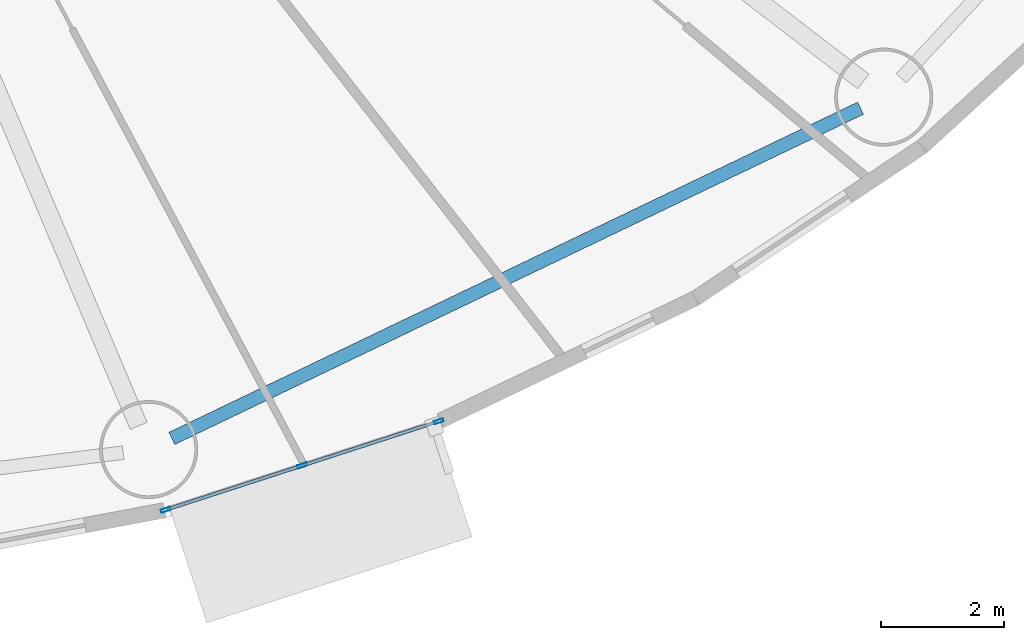
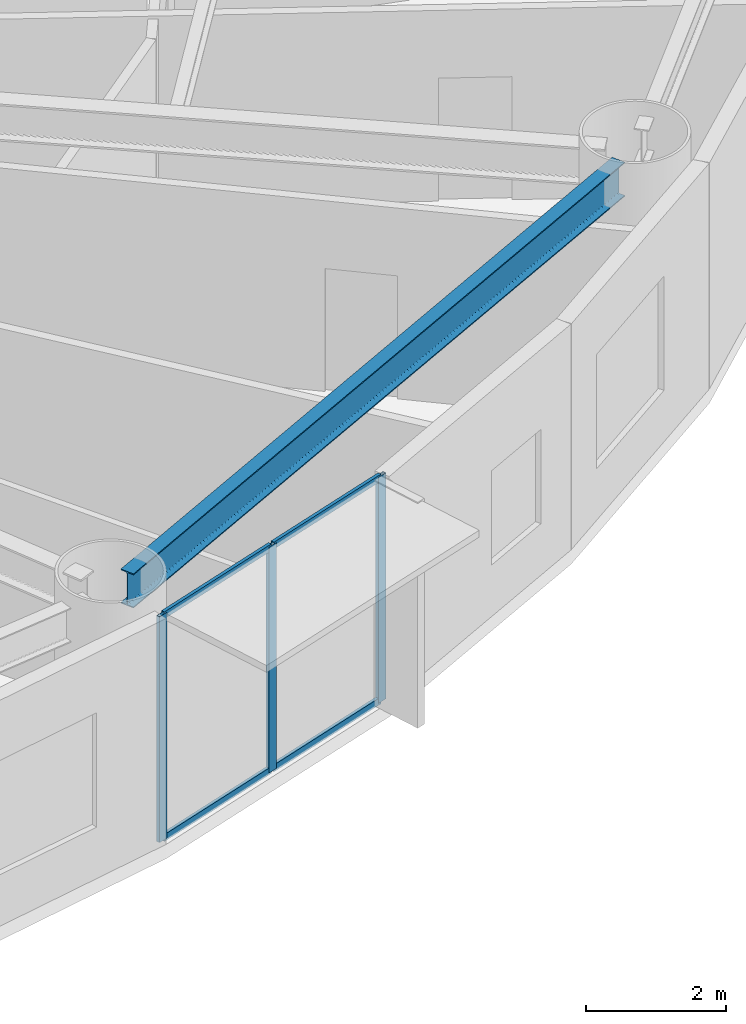
# One storey, part 7 of 28: 7 members, 1 beam, 1 element without a shape of its own.
"""IFC4 building model written with IfcOpenShell, lengths in metres."""

from ifc_helpers import new_model, si_unit, direction, frame, origin, origin_2d, place, context, subcontext, project, spatial, hollow_rectangle, i_section, extrude, source, transform, mapped, material, layer, layer_set, material_profile, profile_set, type_object, element, aggregate, save


model = new_model("IFC4")

# Units and contexts
model_context = context("Model", 3, precision=1e-05, world=origin(), true_north=direction((0.0, 1.0)))
body_context = subcontext(model_context, "Body", "Model", "MODEL_VIEW")
ifc_project = project(units=[si_unit("LENGTHUNIT", "METRE"), si_unit("AREAUNIT", "SQUARE_METRE"), si_unit("VOLUMEUNIT", "CUBIC_METRE"), si_unit("PLANEANGLEUNIT", "RADIAN"), si_unit("MASSUNIT", "GRAM", prefix="KILO")], contexts=[model_context])

# Site, building, storey
site_placement = place(None, origin())
site = spatial("IfcSite", under=ifc_project, at=site_placement, CompositionType="ELEMENT")
building_placement = place(site_placement, origin())
building = spatial("IfcBuilding", under=site, at=building_placement, Name="Linh Dai School and Residence Tower", CompositionType="ELEMENT")
storey_placement = place(building_placement, frame((0.0, 0.0, 57.60009765625)))
storey = spatial("IfcBuildingStorey", under=building, at=storey_placement, Name="L13", CompositionType="ELEMENT", Elevation=57.60009765625)

# Beam
ifc_material_1 = material(Name="Structural Steel S355JR", Category="steel")
ifc_material_profile_1 = material_profile(ifc_material_1, i_section(OverallWidth=0.219970703125, OverallDepth=0.60009765625, WebThickness=0.011962890625, FlangeThickness=0.01904296875, FilletRadius=0.02392578125, at=origin_2d()), Name="IPE 600")
ifc_profile_set_1 = profile_set([ifc_material_profile_1], Name="Structural Steel S355JR")
beam_type = type_object("IfcBeamType", Name="BM-RB60", PredefinedType="BEAM", material=ifc_profile_set_1)
beam_placement = place(storey_placement, frame((45.736572265625, 5.061767578125, 3.64990234375), z_axis=(0.901728693485, 0.432302398034, 0.0), x_axis=(-0.432302398034, 0.901728693485, 0.0)))
element("IfcBeam", 1, at=beam_placement, inside=storey, type_object=beam_type, Name="L13 Perimeter Elliptical Ring Beam 14", PredefinedType="BEAM", context=body_context, shape_type="SweptSolid", body=[
    extrude(i_section(OverallWidth=0.219970703125, OverallDepth=0.60009765625, WebThickness=0.011962890625, FlangeThickness=0.01904296875, FilletRadius=0.02392578125, at=origin_2d()), origin(), (0.0, 0.0, 1.0), 12.462158203125),
])

# Curtain wall, members
ifc_material_2 = material(Name="Aluminium Anodised Curtain Wall", Category="aluminium")
ifc_layer = layer(ifc_material_2, 0.159912109375)
ifc_layer_set = layer_set([ifc_layer], Name="Aluminium Anodised Curtain Wall")
curtain_wall_type = type_object("IfcCurtainWallType", Name="CW-SYS-3", PredefinedType="USERDEFINED", material=ifc_layer_set)
curtain_wall_placement = place(storey_placement, origin())
curtain_wall = element("IfcCurtainWall", 2, at=curtain_wall_placement, inside=storey, type_object=curtain_wall_type, Name="L13 CW3 Curtain Wall 33", ObjectType="RIBBON CURTAIN WALL", PredefinedType="USERDEFINED")
ifc_material_3 = material(Name="Aluminium Alloy 6063-T6", Category="aluminium")
ifc_material_profile_2 = material_profile(ifc_material_3, hollow_rectangle(XDim=0.054931640625, YDim=0.1201171875, WallThickness=0.00390625, at=origin_2d()), Name="RHS 120x55x4")
ifc_profile_set_2 = profile_set([ifc_material_profile_2], Name="Aluminium Alloy 6063-T6")
member_type_1 = type_object("IfcMemberType", Name="CW-SYS-3-TRN", PredefinedType="USERDEFINED", material=ifc_profile_set_2)
shared_shape_1 = source(origin(), body_context, "Body", "SweptSolid", [
    extrude(hollow_rectangle(XDim=0.054931640625, YDim=0.1201171875, WallThickness=0.00390625, at=origin_2d()), origin(), (0.0, 0.0, 1.0), 2.286865234375),
])
member_1_placement = place(storey_placement, frame((50.06591796875, 5.331787109375, 0.02734375), z_axis=(-0.951214351328, -0.308530805313, 0.0), x_axis=(0.308530805313, -0.951214351328, 0.0)))
member_1 = element("IfcMember", 3, at=member_1_placement, type_object=member_type_1, Name="CW3 transom 1.1", ObjectType="TRANSOM", PredefinedType="USERDEFINED", context=body_context, shape_type="MappedRepresentation", body=[
    mapped(shared_shape_1, transform((0.0, 0.0, 0.0), x_axis=(1.0, 0.0, 0.0), y_axis=(0.0, 1.0, 0.0), z_axis=(0.0, 0.0, 1.0), scale=1.0)),
])
member_2_placement = place(storey_placement, frame((50.06591796875, 5.331787109375, 3.92236328125), z_axis=(-0.951214351328, -0.308530805313, 0.0), x_axis=(0.308530805313, -0.951214351328, 0.0)))
member_2 = element("IfcMember", 4, at=member_2_placement, type_object=member_type_1, Name="CW3 transom 1.2", ObjectType="TRANSOM", PredefinedType="USERDEFINED", context=body_context, shape_type="MappedRepresentation", body=[
    mapped(shared_shape_1, transform((0.0, 0.0, 0.0), x_axis=(1.0, 0.0, 0.0), y_axis=(0.0, 1.0, 0.0), z_axis=(0.0, 0.0, 1.0), scale=1.0)),
])
member_3_placement = place(storey_placement, frame((47.838134765625, 4.609375, 0.02734375), z_axis=(-0.951214351328, -0.308530805313, 0.0), x_axis=(0.308530805313, -0.951214351328, 0.0)))
member_3 = element("IfcMember", 5, at=member_3_placement, type_object=member_type_1, Name="CW3 transom 2.1", ObjectType="TRANSOM", PredefinedType="USERDEFINED", context=body_context, shape_type="MappedRepresentation", body=[
    mapped(shared_shape_1, transform((0.0, 0.0, 0.0), x_axis=(1.0, 0.0, 0.0), y_axis=(0.0, 1.0, 0.0), z_axis=(0.0, 0.0, 1.0), scale=1.0)),
])
member_4_placement = place(storey_placement, frame((47.838134765625, 4.609375, 3.92236328125), z_axis=(-0.951214351328, -0.308530805313, 0.0), x_axis=(0.308530805313, -0.951214351328, 0.0)))
member_4 = element("IfcMember", 6, at=member_4_placement, type_object=member_type_1, Name="CW3 transom 2.2", ObjectType="TRANSOM", PredefinedType="USERDEFINED", context=body_context, shape_type="MappedRepresentation", body=[
    mapped(shared_shape_1, transform((0.0, 0.0, 0.0), x_axis=(1.0, 0.0, 0.0), y_axis=(0.0, 1.0, 0.0), z_axis=(0.0, 0.0, 1.0), scale=1.0)),
])
ifc_material_profile_3 = material_profile(ifc_material_3, hollow_rectangle(XDim=0.054931640625, YDim=0.159912109375, WallThickness=0.00390625, at=origin_2d()), Name="RHS 160x55x4")
ifc_profile_set_3 = profile_set([ifc_material_profile_3], Name="Aluminium Alloy 6063-T6")
member_type_2 = type_object("IfcMemberType", Name="CW-SYS-3-MUL", PredefinedType="MULLION", material=ifc_profile_set_3)
shared_shape_2 = source(origin(), body_context, "Body", "SweptSolid", [
    extrude(hollow_rectangle(XDim=0.054931640625, YDim=0.159912109375, WallThickness=0.00390625, at=origin_2d()), origin(), (0.0, 0.0, 1.0), 3.949951171875),
])
member_5_placement = place(storey_placement, frame((50.092041015625, 5.34033203125, 0.0), z_axis=(0.0, 0.0, 1.0), x_axis=(0.308510993844, -0.951220777043, 0.0)))
member_5 = element("IfcMember", 7, at=member_5_placement, type_object=member_type_2, Name="CW3 mullion 1", PredefinedType="MULLION", context=body_context, shape_type="MappedRepresentation", body=[
    mapped(shared_shape_2, transform((0.0, 0.0, 0.0), x_axis=(1.0, 0.0, 0.0), y_axis=(0.0, 1.0, 0.0), z_axis=(0.0, 0.0, 1.0), scale=1.0)),
])
member_6_placement = place(storey_placement, frame((47.8642578125, 4.617919921875, 0.0), z_axis=(0.0, 0.0, 1.0), x_axis=(0.308510993844, -0.951220777043, 0.0)))
member_6 = element("IfcMember", 8, at=member_6_placement, type_object=member_type_2, Name="CW3 mullion 2", PredefinedType="MULLION", context=body_context, shape_type="MappedRepresentation", body=[
    mapped(shared_shape_2, transform((0.0, 0.0, 0.0), x_axis=(1.0, 0.0, 0.0), y_axis=(0.0, 1.0, 0.0), z_axis=(0.0, 0.0, 1.0), scale=1.0)),
])
member_7_placement = place(storey_placement, frame((45.63671875, 3.895263671875, 0.0), z_axis=(0.0, 0.0, 1.0), x_axis=(0.308510993844, -0.951220777043, 0.0)))
member_7 = element("IfcMember", 9, at=member_7_placement, type_object=member_type_2, Name="CW3 mullion 3", PredefinedType="MULLION", context=body_context, shape_type="MappedRepresentation", body=[
    mapped(shared_shape_2, transform((0.0, 0.0, 0.0), x_axis=(1.0, 0.0, 0.0), y_axis=(0.0, 1.0, 0.0), z_axis=(0.0, 0.0, 1.0), scale=1.0)),
])
aggregate(curtain_wall, [member_5, member_6, member_7, member_1, member_2, member_3, member_4])

save(model, "model.ifc")
